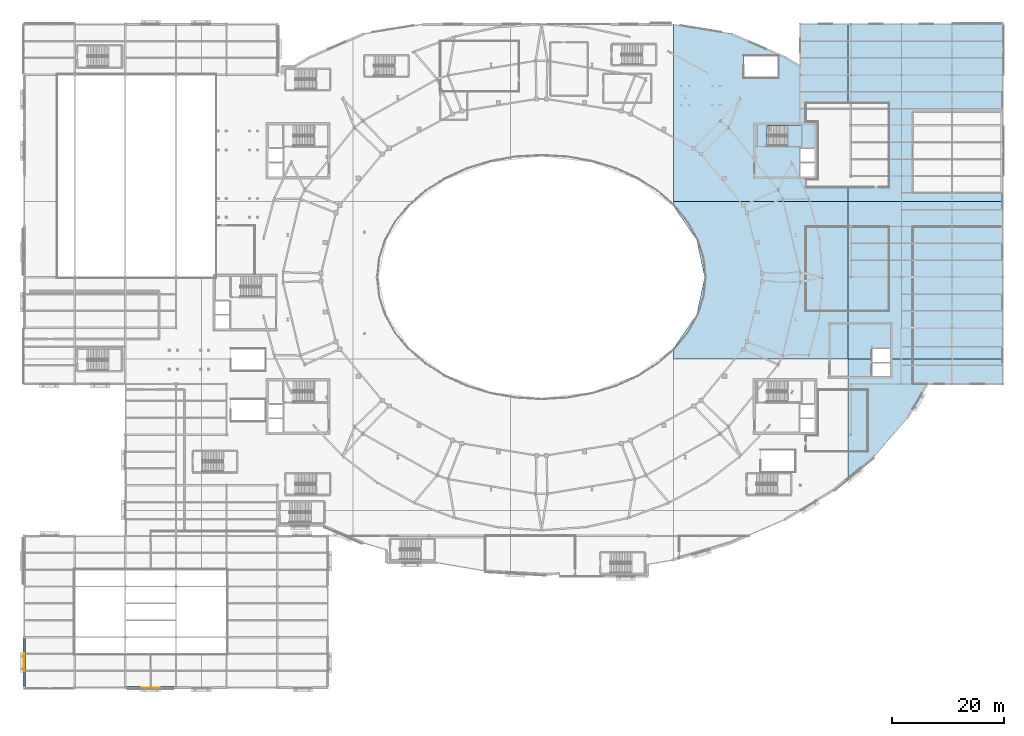
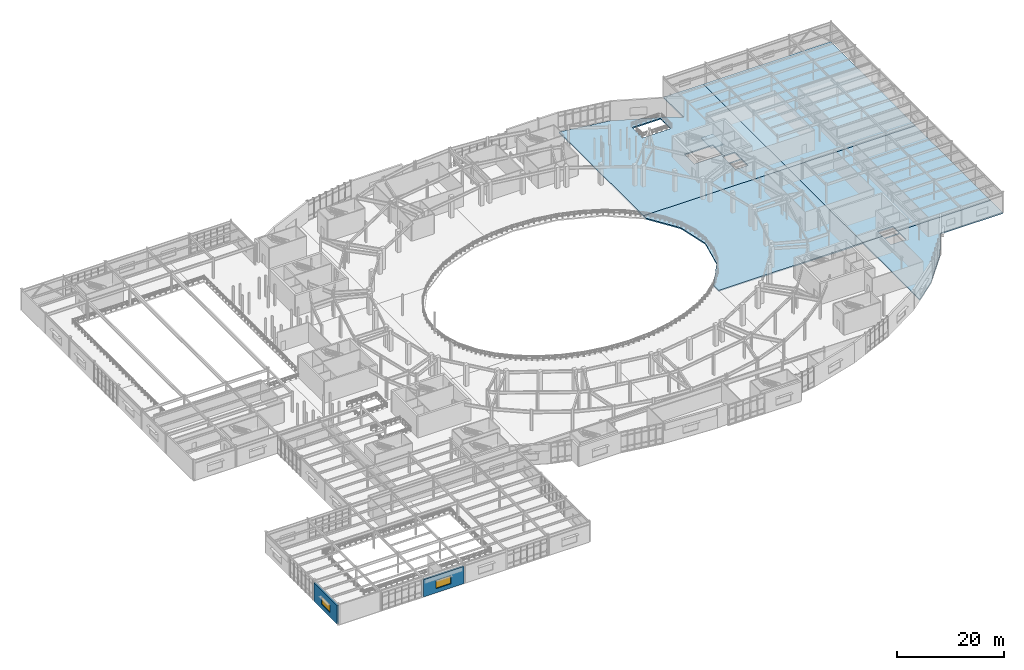
# One storey, part 58 of 86: 6 slabs, 2 walls, 2 windows, 2 openings, 1 element without a shape of its own.
"""IFC4 building model written with IfcOpenShell, lengths in metres."""

import ifcopenshell
import ifcopenshell.guid

model = None  # the IFC model being written
_history = None  # IfcOwnerHistory: only IFC2X3 demands one
_inside = {}  # id of a spatial element -> (the spatial element, [elements in it])
_under = {}  # id of a project, library or spatial element -> (it, [spatial elements below it])
_declared = {}  # id of a project -> (the project, [libraries it declares])
_typed = {}  # id of a type object -> (the type object, [elements of that type])
_made_of = {}  # id of a material, layer set ... -> (it, [elements and type objects made of it])


def new_model(schema):
    """Start an empty IFC model of exactly this schema.

    Asked for "IFC4X3", IfcOpenShell would pick the latest addendum, in which some entities
    have other attributes; the version numbers below select the first issue.
    IFC2X3 requires an IfcOwnerHistory on every rooted entity: one is made here for all.
    """
    global model, _history
    if schema == "IFC4X3":
        model = ifcopenshell.file(schema_version=(4, 3, 0, 0))
    else:
        model = ifcopenshell.file(schema=schema)
    _inside.clear()
    _under.clear()
    _declared.clear()
    _typed.clear()
    _made_of.clear()
    _history = None
    if model.schema == "IFC2X3":
        org = make("IfcOrganization", Name="unknown")
        user = make(
            "IfcPersonAndOrganization",
            ThePerson=make("IfcPerson", FamilyName="unknown"),
            TheOrganization=org,
        )
        app = make(
            "IfcApplication",
            ApplicationDeveloper=org,
            Version="unknown",
            ApplicationFullName="unknown",
            ApplicationIdentifier="unknown",
        )
        _history = make(
            "IfcOwnerHistory",
            OwningUser=user,
            OwningApplication=app,
            ChangeAction="ADDED",
            CreationDate=0,
        )
    return model


def make(cls, **values):
    """One entity of the class cls with the attributes given. An attribute that is None is left unset."""
    return model.create_entity(
        cls, **{name: value for name, value in values.items() if value is not None}
    )


def rooted(cls, **values):
    """An entity with a GlobalId (a new one), such as an element, a storey or a relation."""
    return make(cls, GlobalId=ifcopenshell.guid.new(), OwnerHistory=_history, **values)


def si_unit(unit_type, name, prefix=None):
    """IfcSIUnit, for example si_unit("LENGTHUNIT", "METRE", prefix="MILLI")."""
    return make("IfcSIUnit", UnitType=unit_type, Prefix=prefix, Name=name)


def assignment(units):
    """IfcUnitAssignment: the units of a project."""
    return None if units is None else make("IfcUnitAssignment", Units=units)


def point(xyz):
    """IfcCartesianPoint."""
    return None if xyz is None else make("IfcCartesianPoint", Coordinates=xyz)


def direction(xyz):
    """IfcDirection."""
    return None if xyz is None else make("IfcDirection", DirectionRatios=xyz)


def frame(location, z_axis=None, x_axis=None):
    """IfcAxis2Placement3D, a coordinate frame: its origin and axes. An axis left out is left unset."""
    return make(
        "IfcAxis2Placement3D",
        Location=point(location),
        Axis=direction(z_axis),
        RefDirection=direction(x_axis),
    )


def frame_2d(location, x_axis=None):
    """IfcAxis2Placement2D, a coordinate frame in the plane: its origin and x axis."""
    return make(
        "IfcAxis2Placement2D", Location=point(location), RefDirection=direction(x_axis)
    )


def origin():
    """The frame at (0, 0, 0) with its axes left unset."""
    return frame((0.0, 0.0, 0.0))


def place(relative_to, where):
    """IfcLocalPlacement: puts the frame where relative to a parent placement (None: the world)."""
    return make(
        "IfcLocalPlacement", PlacementRelTo=relative_to, RelativePlacement=where
    )


def context(
    kind, dimensions, precision=None, world=None, true_north=None, identifier=None
):
    """IfcGeometricRepresentationContext, for example the 3D "Model" context."""
    return make(
        "IfcGeometricRepresentationContext",
        ContextIdentifier=identifier,
        ContextType=kind,
        CoordinateSpaceDimension=dimensions,
        Precision=precision,
        WorldCoordinateSystem=world,
        TrueNorth=true_north,
    )


def subcontext(parent, identifier, kind, view, scale=None):
    """IfcGeometricRepresentationSubContext, for example "Body" below "Model"."""
    return make(
        "IfcGeometricRepresentationSubContext",
        ContextIdentifier=identifier,
        ContextType=kind,
        ParentContext=parent,
        TargetScale=scale,
        TargetView=view,
    )


def project(units=None, contexts=None):
    """IfcProject with its units and contexts."""
    return rooted(
        "IfcProject",
        Name="project",
        RepresentationContexts=contexts,
        UnitsInContext=assignment(units),
    )


def spatial(cls, under=None, at=None, **own):
    """A site, building, storey or space (cls), placed at a placement, below another one or the project."""
    s = rooted(cls, ObjectPlacement=at, **own)
    if under is not None:
        _under.setdefault(under.id(), (under, []))[1].append(s)
    return s


def polyline(points):
    """IfcPolyline through the points."""
    return make("IfcPolyline", Points=[point(p) for p in points])


def profile(cls, at=None, kind="AREA", **sizes):
    """A parametric profile (cls). Its sizes go by their IFC names, for example OverallWidth=200.0."""
    return make(cls, ProfileType=kind, Position=at, **sizes)


def rectangle(**sizes):
    """IfcRectangleProfileDef."""
    return profile("IfcRectangleProfileDef", **sizes)


def outline(outer, holes=None, kind="AREA"):
    """IfcArbitraryClosedProfileDef: a profile drawn as a closed curve; with holes, ...WithVoids."""
    if holes is None:
        return make("IfcArbitraryClosedProfileDef", ProfileType=kind, OuterCurve=outer)
    return make(
        "IfcArbitraryProfileDefWithVoids",
        ProfileType=kind,
        OuterCurve=outer,
        InnerCurves=holes,
    )


def extrude(swept, where, along, depth):
    """IfcExtrudedAreaSolid: the profile swept, set in the frame where, extruded along a direction by depth."""
    return make(
        "IfcExtrudedAreaSolid",
        SweptArea=swept,
        Position=where,
        ExtrudedDirection=direction(along),
        Depth=depth,
    )


def shape(context_of_items, identifier, shape_type, items):
    """IfcShapeRepresentation: the items that make up one representation, for example the "Body"."""
    return make(
        "IfcShapeRepresentation",
        ContextOfItems=context_of_items,
        RepresentationIdentifier=identifier,
        RepresentationType=shape_type,
        Items=items,
    )


def material(Name=None, Category=None):
    """IfcMaterial."""
    return make("IfcMaterial", Name=Name, Category=Category)


def layer(
    of_material, thickness, ventilated=None, Name=None, Category=None, Priority=None
):
    """IfcMaterialLayer: one layer of a wall or slab, of a material (None: an air gap)."""
    return make(
        "IfcMaterialLayer",
        Material=of_material,
        LayerThickness=thickness,
        IsVentilated=ventilated,
        Name=Name,
        Category=Category,
        Priority=Priority,
    )


def layer_set(layers, Name=None):
    """IfcMaterialLayerSet."""
    return make("IfcMaterialLayerSet", MaterialLayers=layers, LayerSetName=Name)


def made_of(thing, what):
    """Note that an element or type object is made of a material, layer set ...; save() writes the relation."""
    if what is not None:
        _made_of.setdefault(what.id(), (what, []))[1].append(thing)
    return thing


def type_object(cls, material=None, **own):
    """A type object (cls), such as IfcWallType, which elements share."""
    return made_of(rooted(cls, **own), material)


def element(
    cls,
    number,
    at=None,
    inside=None,
    cuts=None,
    type_object=None,
    material=None,
    context=None,
    identifier="Body",
    shape_type=None,
    held_by="IfcProductDefinitionShape",
    body=None,
    shapes=None,
    **own,
):
    """One element of the class cls, such as IfcWall. Its Tag is "e" and its number.

    at: its placement. inside: the storey or other place that contains it. cuts: it is an
    opening in that element (IfcRelVoidsElement). A single representation is given by context,
    identifier, shape_type and body (its items); several are given by shapes. held_by: the class
    of the entity that holds the representations. save() writes the other relations.
    """
    e = rooted(cls, Tag="e%d" % number, ObjectPlacement=at, **own)
    if body is not None:
        shapes = [shape(context, identifier, shape_type, body)]
    if shapes is not None:
        e.Representation = make(held_by, Representations=shapes)
    if inside is not None:
        _inside.setdefault(inside.id(), (inside, []))[1].append(e)
    if cuts is not None:
        rooted(
            "IfcRelVoidsElement", RelatingBuildingElement=cuts, RelatedOpeningElement=e
        )
    if type_object is not None:
        _typed.setdefault(type_object.id(), (type_object, []))[1].append(e)
    return made_of(e, material)


def fill(opening, filler):
    """IfcRelFillsElement: the door or window that sits in an opening."""
    return rooted(
        "IfcRelFillsElement",
        RelatingOpeningElement=opening,
        RelatedBuildingElement=filler,
    )


def aggregate(whole, parts):
    """IfcRelAggregates: a whole, such as a stair, and the parts it consists of."""
    return rooted("IfcRelAggregates", RelatingObject=whole, RelatedObjects=parts)


def save(model, path):
    """Write the relations noted so far, then the file.

    IfcRelAggregates (storeys below a building ...), IfcRelContainedInSpatialStructure (elements
    in a storey), IfcRelDefinesByType, IfcRelAssociatesMaterial and IfcRelDeclares: one each for
    every whole, place, type object, material and project.
    """
    for whole, parts in _under.values():
        aggregate(whole, parts)
    for where, things in _inside.values():
        rooted(
            "IfcRelContainedInSpatialStructure",
            RelatedElements=things,
            RelatingStructure=where,
        )
    for kind, things in _typed.values():
        rooted("IfcRelDefinesByType", RelatedObjects=things, RelatingType=kind)
    for what, things in _made_of.values():
        rooted("IfcRelAssociatesMaterial", RelatedObjects=things, RelatingMaterial=what)
    for by, libraries in _declared.values():
        rooted("IfcRelDeclares", RelatingContext=by, RelatedDefinitions=libraries)
    model.write(path)


model = new_model("IFC4")

# Units and contexts
model_context = context("Model", 3, precision=1e-05, world=origin(), true_north=direction((0.0, 1.0)))
body_context = subcontext(model_context, "Body", "Model", "MODEL_VIEW")
ifc_project = project(units=[si_unit("LENGTHUNIT", "METRE"), si_unit("AREAUNIT", "SQUARE_METRE"), si_unit("VOLUMEUNIT", "CUBIC_METRE"), si_unit("PLANEANGLEUNIT", "RADIAN"), si_unit("MASSUNIT", "GRAM", prefix="KILO")], contexts=[model_context])

# Site, building, storey
site_placement = place(None, origin())
site = spatial("IfcSite", under=ifc_project, at=site_placement, CompositionType="ELEMENT")
building_placement = place(site_placement, origin())
building = spatial("IfcBuilding", under=site, at=building_placement, Name="Glasvene Arena", CompositionType="ELEMENT")
storey_placement = place(building_placement, frame((0.0, 0.0, 5.39990234375)))
storey = spatial("IfcBuildingStorey", under=building, at=storey_placement, Name="L01", CompositionType="ELEMENT", Elevation=5.39990234375)

# Slabs
ifc_material_1 = material(Name="Concrete C40/50", Category="concrete")
ifc_layer_1 = layer(ifc_material_1, 0.280029296875)
ifc_layer_set_1 = layer_set([ifc_layer_1], Name="Concrete C40/50")
slab_type_1 = type_object("IfcSlabType", Name="SL-CONC-280", PredefinedType="FLOOR", material=ifc_layer_set_1)
slab_1_placement = place(storey_placement, frame((156.29345703125, 53.10009765625, -0.27978515625)))
element("IfcSlab", 1, at=slab_1_placement, inside=storey, type_object=slab_type_1, Name="Structural floor slab L01 sector 2-6 (49)", PredefinedType="FLOOR", context=body_context, shape_type="SweptSolid", body=[
    extrude(outline(polyline([(4.286865234375, 0.89990234375), (0.725341796875, -5.185546875), (-5.16552734375, -11.989013671875), (-9.79345703125, -15.82373046875), (-9.79345703125, 5.39990234375), (-5.593505859375, 5.39990234375), (-5.593505859375, 4.7998046875), (-2.243408203125, 4.7998046875), (-2.243408203125, 5.39990234375), (17.70654296875, 5.39990234375), (17.70654296875, 0.89990234375), (4.286865234375, 0.89990234375)]), holes=[polyline([(-2.243408203125, 2.25), (-2.243408203125, 4.699951171875), (-5.593505859375, 4.699951171875), (-5.593505859375, 2.25), (-2.243408203125, 2.25)])]), origin(), (0.0, 0.0, 1.0), 0.27978515625),
])
slab_2_placement = place(storey_placement, frame((123.90673828125, 72.77783203125, -0.27978515625)))
element("IfcSlab", 2, at=slab_2_placement, inside=storey, type_object=slab_type_1, Name="Structural floor slab L01 sector 3-5 (53)", PredefinedType="FLOOR", context=body_context, shape_type="SweptSolid", body=[
    extrude(outline(polyline([(-4.326171875, -6.421630859375), (-2.90673828125, 0.22216796875), (-4.326171875, 6.865966796875), (-8.40673828125, 12.803466796875), (-8.40673828125, 13.72216796875), (22.59326171875, 13.72216796875), (22.59326171875, -14.27783203125), (-8.40673828125, -14.27783203125), (-8.40673828125, -12.359130859375), (-4.326171875, -6.421630859375)])), origin(), (0.0, 0.0, 1.0), 0.27978515625),
])
slab_3_placement = place(storey_placement, frame((156.3125, 65.96240234375, -0.27978515625)))
element("IfcSlab", 3, at=slab_3_placement, inside=storey, type_object=slab_type_1, Name="Structural floor slab L01 sector 3-6 (54)", PredefinedType="FLOOR", context=body_context, shape_type="SweptSolid", body=[
    extrude(outline(polyline([(-2.262451171875, -7.46240234375), (-2.262451171875, -5.6123046875), (-5.612548828125, -5.6123046875), (-5.612548828125, -7.46240234375), (-9.8125, -7.46240234375), (-9.8125, 20.53759765625), (17.6875, 20.53759765625), (17.6875, -7.46240234375), (-2.262451171875, -7.46240234375)])), origin(), (0.0, 0.0, 1.0), 0.27978515625),
])
slab_4_placement = place(storey_placement, frame((132.6064453125, 108.23291015625, -0.27978515625)))
element("IfcSlab", 4, at=slab_4_placement, inside=storey, type_object=slab_type_1, Name="Structural floor slab L01 sector 4-5 (59)", PredefinedType="FLOOR", context=body_context, shape_type="SweptSolid", body=[
    extrude(outline(polyline([(2.6259765625, 3.905517578125), (5.3935546875, 2.232666015625), (5.3935546875, 9.76708984375), (13.8935546875, 9.76708984375), (13.8935546875, -21.73291015625), (-17.1064453125, -21.73291015625), (-17.1064453125, 9.71875), (-6.9873046875, 8.07470703125), (2.6259765625, 3.905517578125)]), holes=[polyline([(7.943603515625, -17.282958984375), (7.943603515625, -14.8330078125), (5.29345703125, -14.8330078125), (5.29345703125, -17.282958984375), (7.943603515625, -17.282958984375)]), polyline([(7.943603515625, -14.73291015625), (7.943603515625, -12.282958984375), (5.29345703125, -12.282958984375), (5.29345703125, -14.73291015625), (7.943603515625, -14.73291015625)]), polyline([(5.593505859375, -11.8828125), (5.593505859375, -8.23291015625), (-0.50439453125, -8.23291015625), (-0.50439453125, -11.8828125), (5.593505859375, -11.8828125)]), polyline([(1.49365234375, 0.26708984375), (1.49365234375, 4.1171875), (-4.6044921875, 4.1171875), (-4.6044921875, 0.26708984375), (1.49365234375, 0.26708984375)])]), origin(), (0.0, 0.0, 1.0), 0.27978515625),
])
slab_5_placement = place(storey_placement, frame((160.25, 102.25, -0.27978515625)))
element("IfcSlab", 5, at=slab_5_placement, inside=storey, type_object=slab_type_1, Name="Structural floor slab L01 sector 4-6 (60)", PredefinedType="FLOOR", context=body_context, shape_type="SweptSolid", body=[
    extrude(outline(polyline([(13.75, 15.75), (13.75, -15.75), (-13.75, -15.75), (-13.75, 15.75), (13.75, 15.75)])), origin(), (0.0, 0.0, 1.0), 0.27978515625),
])

# Stair, slab
stair_type = type_object("IfcStairType", Name="ST-HT-480-170", PredefinedType="HALF_TURN_STAIR", material=ifc_material_1)
stair_placement = place(storey_placement, origin())
stair = element("IfcStair", 6, at=stair_placement, inside=storey, type_object=stair_type, Name="Protected escape stair ST-02 (L01 to L02)", PredefinedType="HALF_TURN_STAIR")
ifc_layer_2 = layer(ifc_material_1, 0.219970703125)
ifc_layer_set_2 = layer_set([ifc_layer_2], Name="Concrete C40/50")
slab_type_2 = type_object("IfcSlabType", Name="SL-LAND-220", PredefinedType="LANDING", material=ifc_layer_set_2)
slab_6_placement = place(storey_placement, frame((137.02001953125, 98.175048828125, 2.18017578125)))
slab_6 = element("IfcSlab", 7, at=slab_6_placement, type_object=slab_type_2, Name="Protected escape stair ST-02 (L01 to L02) landing 1", PredefinedType="LANDING", context=body_context, shape_type="SweptSolid", body=[
    extrude(outline(polyline([(-1.280029296875, -1.925048828125), (1.280029296875, -1.925048828125), (1.280029296875, 1.925048828125), (-1.280029296875, 1.925048828125), (-1.280029296875, -1.925048828125)])), origin(), (0.0, 0.0, 1.0), 0.219970703125),
])
aggregate(stair, [slab_6])

# Wall, opening, window
ifc_material_2 = material(Name="Coursed pale Irish limestone", Category="masonry")
ifc_layer_3 = layer(ifc_material_2, 0.39990234375)
ifc_layer_set_3 = layer_set([ifc_layer_3], Name="Coursed pale Irish limestone")
wall_type = type_object("IfcWallType", Name="WL-EXT-LIM-400", PredefinedType="STANDARD", material=ifc_layer_set_3)
wall_1_placement = place(storey_placement, frame((26.794921875, 0.0, 0.0), z_axis=(0.0, 0.0, 1.0), x_axis=(-1.0, 0.0, 0.0)))
wall_1 = element("IfcWall", 8, at=wall_1_placement, inside=storey, type_object=wall_type, Name="External facade wall EW-L01-0109", PredefinedType="STANDARD", context=body_context, shape_type="SweptSolid", body=[
    extrude(rectangle(XDim=8.642822265625, YDim=0.39990234375, at=frame_2d((4.3212890625, 0.0))), origin(), (0.0, 0.0, 1.0), 3.907470703125),
])
opening_1_placement = place(wall_1_placement, frame((2.720947265625, 0.0, 0.949951171875)))
opening_1 = element("IfcOpeningElement", 9, at=opening_1_placement, cuts=wall_1, Name="Opening W-03", PredefinedType="OPENING", context=body_context, shape_type="SweptSolid", body=[
    extrude(rectangle(XDim=3.199951171875, YDim=1.800048828125, at=frame_2d((1.60009765625, 0.89990234375))), frame((0.0, 0.2099609375, 0.0), z_axis=(0.0, -1.0, 0.0), x_axis=(1.0, 0.0, 0.0)), (0.0, 0.0, 1.0), 0.419921875),
])
ifc_material_3 = material(Name="Low-emissivity laminated double glazing", Category="glass")
window_type = type_object("IfcWindowType", Name="WN-CONC-320x180", PartitioningType="TRIPLE_PANEL_VERTICAL", PredefinedType="WINDOW", material=ifc_material_3)
window_1_placement = place(opening_1_placement, origin())
window_1 = element("IfcWindow", 10, at=window_1_placement, inside=storey, type_object=window_type, Name="Facade window WN-CONC-320x180 L01-0055", OverallHeight=1.800048828125, OverallWidth=3.199951171875, PartitioningType="SINGLE_PANEL", PredefinedType="WINDOW", context=body_context, shape_type="SweptSolid", body=[
    extrude(rectangle(XDim=3.199951171875, YDim=1.800048828125, at=frame_2d((1.60009765625, 0.89990234375))), frame((0.0, 0.030029296875, 0.0), z_axis=(0.0, -1.0, 0.0), x_axis=(1.0, 0.0, 0.0)), (0.0, 0.0, 1.0), 0.06005859375),
])
fill(opening_1, window_1)

wall_2_placement = place(storey_placement, frame((0.0, 0.201904296875, 0.0), z_axis=(0.0, 0.0, 1.0), x_axis=(0.0, 1.0, 0.0)))
wall_2 = element("IfcWall", 11, at=wall_2_placement, inside=storey, type_object=wall_type, Name="External facade wall EW-L01-0110", PredefinedType="STANDARD", context=body_context, shape_type="SweptSolid", body=[
    extrude(rectangle(XDim=8.593017578125, YDim=0.39990234375, at=frame_2d((4.29638671875, 0.0))), origin(), (0.0, 0.0, 1.0), 4.215087890625),
])
opening_2_placement = place(wall_2_placement, frame((2.696044921875, 0.0, 0.949951171875)))
opening_2 = element("IfcOpeningElement", 12, at=opening_2_placement, cuts=wall_2, Name="Opening W-03", PredefinedType="OPENING", context=body_context, shape_type="SweptSolid", body=[
    extrude(rectangle(XDim=3.199951171875, YDim=1.800048828125, at=frame_2d((1.60009765625, 0.89990234375))), frame((0.0, 0.2099609375, 0.0), z_axis=(0.0, -1.0, 0.0), x_axis=(1.0, 0.0, 0.0)), (0.0, 0.0, 1.0), 0.419921875),
])
window_2_placement = place(opening_2_placement, origin())
window_2 = element("IfcWindow", 13, at=window_2_placement, inside=storey, type_object=window_type, Name="Facade window WN-CONC-320x180 L01-0056", OverallHeight=1.800048828125, OverallWidth=3.199951171875, PartitioningType="SINGLE_PANEL", PredefinedType="WINDOW", context=body_context, shape_type="SweptSolid", body=[
    extrude(rectangle(XDim=3.199951171875, YDim=1.800048828125, at=frame_2d((1.60009765625, 0.89990234375))), frame((0.0, 0.030029296875, 0.0), z_axis=(0.0, -1.0, 0.0), x_axis=(1.0, 0.0, 0.0)), (0.0, 0.0, 1.0), 0.06005859375),
])
fill(opening_2, window_2)

save(model, "model.ifc")
